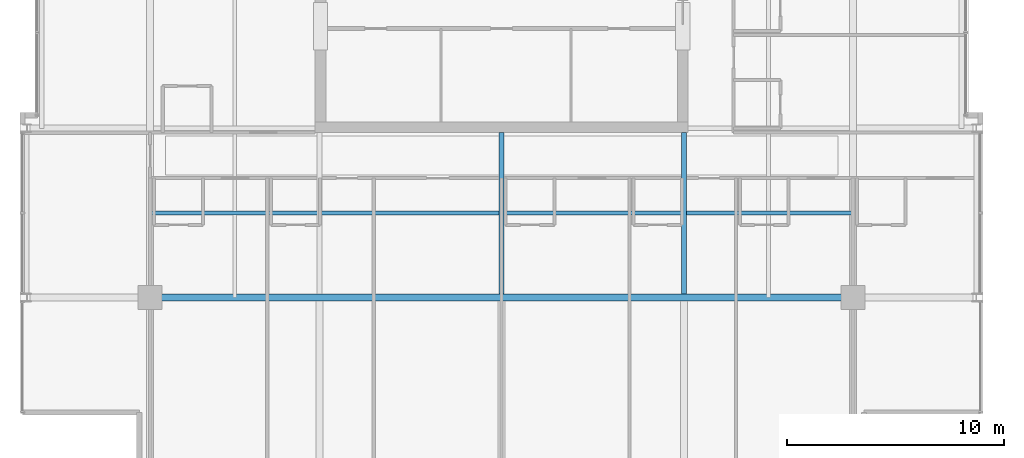
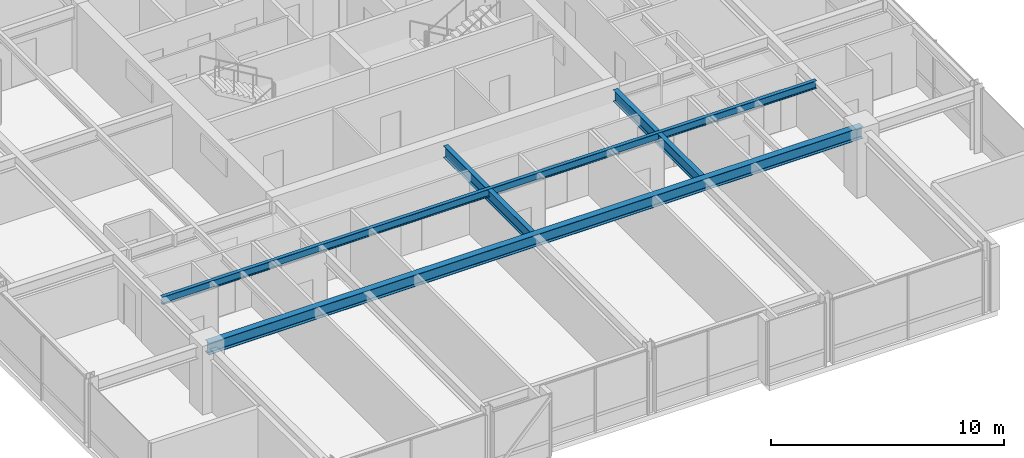
# One storey, part 8 of 34: 4 beams.
"""IFC4 building model written with IfcOpenShell, lengths in metres."""

from ifc_helpers import new_model, si_unit, direction, frame, origin, origin_2d, place, context, subcontext, project, spatial, i_section, extrude, material, material_profile, profile_set, type_object, element, save


model = new_model("IFC4")

# Units and contexts
model_context = context("Model", 3, precision=1e-05, world=origin(), true_north=direction((0.0, 1.0)))
body_context = subcontext(model_context, "Body", "Model", "MODEL_VIEW")
ifc_project = project(units=[si_unit("LENGTHUNIT", "METRE"), si_unit("AREAUNIT", "SQUARE_METRE"), si_unit("VOLUMEUNIT", "CUBIC_METRE"), si_unit("PLANEANGLEUNIT", "RADIAN"), si_unit("MASSUNIT", "GRAM", prefix="KILO")], contexts=[model_context])

# Site, building, storey
site_placement = place(None, origin())
site = spatial("IfcSite", under=ifc_project, at=site_placement, CompositionType="ELEMENT")
building_placement = place(site_placement, origin())
building = spatial("IfcBuilding", under=site, at=building_placement, Name="Drelvath Grand Hotel", CompositionType="ELEMENT")
storey_placement = place(building_placement, frame((0.0, 0.0, 208.699951171875)))
storey = spatial("IfcBuildingStorey", under=building, at=storey_placement, Name="L54", CompositionType="ELEMENT", Elevation=208.699951171875)

# Beams
ifc_material = material(Name="Steel ASTM A992 Gr 50", Category="steel")
ifc_material_profile_1 = material_profile(ifc_material, i_section(OverallWidth=0.177734375, OverallDepth=0.40673828125, WebThickness=0.0078125, FlangeThickness=0.0126953125, FilletRadius=0.014892578125, at=origin_2d()), Name="W16X40")
ifc_profile_set_1 = profile_set([ifc_material_profile_1], Name="Steel ASTM A992 Gr 50")
beam_type_1 = type_object("IfcBeamType", Name="Composite Floor Joist W16X40", PredefinedType="JOIST", material=ifc_profile_set_1)
beam_1_placement = place(storey_placement, frame((-16.199951171875, 14.699951171875, 3.13671875), z_axis=(1.0, 0.0, 0.0), x_axis=(0.0, 1.0, 0.0)))
element("IfcBeam", 1, at=beam_1_placement, inside=storey, type_object=beam_type_1, Name="L54 Floor Joist J1", PredefinedType="JOIST", context=body_context, shape_type="SweptSolid", body=[
    extrude(i_section(OverallWidth=0.177734375, OverallDepth=0.40673828125, WebThickness=0.0078125, FlangeThickness=0.0126953125, FilletRadius=0.014892578125, at=origin_2d()), origin(), (0.0, 0.0, 1.0), 32.39990234375),
])
ifc_material_profile_2 = material_profile(ifc_material, i_section(OverallWidth=0.323974609375, OverallDepth=0.611083984375, WebThickness=0.0126953125, FlangeThickness=0.01904296875, FilletRadius=0.02197265625, at=origin_2d()), Name="W24X104")
ifc_profile_set_2 = profile_set([ifc_material_profile_2], Name="Steel ASTM A992 Gr 50")
beam_type_2 = type_object("IfcBeamType", Name="Primary Floor Girder W24X104", PredefinedType="BEAM", material=ifc_profile_set_2)
beam_2_placement = place(storey_placement, frame((-16.199951171875, 10.800048828125, 3.034423828125), z_axis=(1.0, 0.0, 0.0), x_axis=(0.0, 1.0, 0.0)))
element("IfcBeam", 2, at=beam_2_placement, inside=storey, type_object=beam_type_2, Name="L54 Mega Ring Girder South", PredefinedType="BEAM", context=body_context, shape_type="SweptSolid", body=[
    extrude(i_section(OverallWidth=0.323974609375, OverallDepth=0.611083984375, WebThickness=0.0126953125, FlangeThickness=0.01904296875, FilletRadius=0.02197265625, at=origin_2d()), origin(), (0.0, 0.0, 1.0), 32.39990234375),
])
ifc_material_profile_3 = material_profile(ifc_material, i_section(OverallWidth=0.228271484375, OverallDepth=0.607666015625, WebThickness=0.01123046875, FlangeThickness=0.017333984375, FilletRadius=0.02001953125, at=origin_2d()), Name="W24X76")
ifc_profile_set_3 = profile_set([ifc_material_profile_3], Name="Steel ASTM A992 Gr 50")
beam_type_3 = type_object("IfcBeamType", Name="Primary Floor Girder W24X76", PredefinedType="BEAM", material=ifc_profile_set_3)
for number, where, z_axis, x_axis, name in (
    (3, (0.0, 10.9619140625, 3.0361328125), (0.0, 1.0, 0.0), (-1.0, 0.0, 0.0), "L54 South Core Tie 5"),
    (4, (8.39990234375, 10.9619140625, 3.0361328125), (0.0, 1.0, 0.0), (-1.0, 0.0, 0.0), "L54 South Core Tie 6"),
):
    element("IfcBeam", number, at=place(storey_placement, frame(where, z_axis=z_axis, x_axis=x_axis)), inside=storey, type_object=beam_type_3, Name=name, PredefinedType="BEAM", context=body_context, shape_type="SweptSolid", body=[
        extrude(i_section(OverallWidth=0.228271484375, OverallDepth=0.607666015625, WebThickness=0.01123046875, FlangeThickness=0.017333984375, FilletRadius=0.02001953125, at=origin_2d()), origin(), (0.0, 0.0, 1.0), 7.43798828125),
    ])

save(model, "model.ifc")
